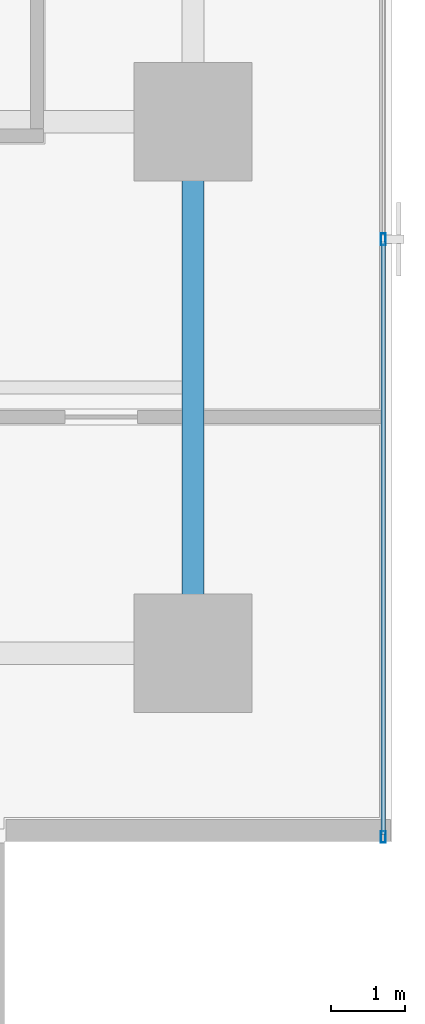
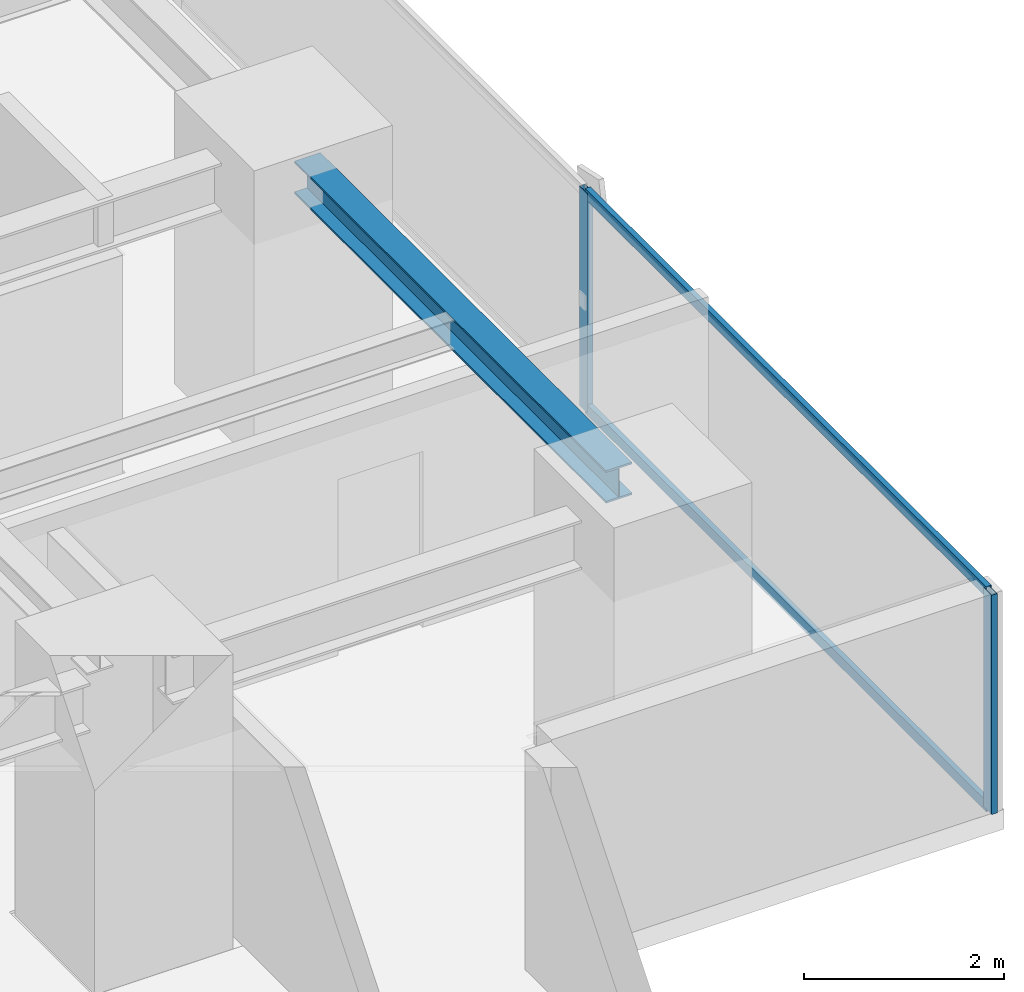
# One storey, part 14 of 36: 4 members, 1 beam, 1 element without a shape of its own.
"""IFC4 building model written with IfcOpenShell, lengths in metres."""

from ifc_helpers import new_model, si_unit, direction, frame, origin, origin_2d, place, context, subcontext, project, spatial, hollow_rectangle, i_section, extrude, source, transform, mapped, material, layer, layer_set, material_profile, profile_set, type_object, element, aggregate, save


model = new_model("IFC4")

# Units and contexts
model_context = context("Model", 3, precision=1e-05, world=origin(), true_north=direction((0.0, 1.0)))
body_context = subcontext(model_context, "Body", "Model", "MODEL_VIEW")
ifc_project = project(units=[si_unit("LENGTHUNIT", "METRE"), si_unit("AREAUNIT", "SQUARE_METRE"), si_unit("VOLUMEUNIT", "CUBIC_METRE"), si_unit("PLANEANGLEUNIT", "RADIAN"), si_unit("MASSUNIT", "GRAM", prefix="KILO")], contexts=[model_context])

# Site, building, storey
site_placement = place(None, origin())
site = spatial("IfcSite", under=ifc_project, at=site_placement, CompositionType="ELEMENT")
building_placement = place(site_placement, origin())
building = spatial("IfcBuilding", under=site, at=building_placement, Name="Sumidabori Civic Tower", CompositionType="ELEMENT")
storey_placement = place(building_placement, frame((0.0, 0.0, 120.800048828125)))
storey = spatial("IfcBuildingStorey", under=building, at=storey_placement, Name="L31", CompositionType="ELEMENT", Elevation=120.800048828125)

# Beam
ifc_material_1 = material(Name="Steel SN490", Category="steel")
ifc_material_profile_1 = material_profile(ifc_material_1, i_section(OverallWidth=0.300048828125, OverallDepth=0.39990234375, WebThickness=0.013427734375, FlangeThickness=0.02392578125, at=origin_2d()), Name="HE 400 B")
ifc_profile_set_1 = profile_set([ifc_material_profile_1], Name="Steel SN490")
beam_type = type_object("IfcBeamType", Name="BM-GIRD-400", PredefinedType="BEAM", material=ifc_profile_set_1)
shared_shape_1 = source(origin(), body_context, "Body", "SweptSolid", [
    extrude(i_section(OverallWidth=0.300048828125, OverallDepth=0.39990234375, WebThickness=0.013427734375, FlangeThickness=0.02392578125, at=origin_2d()), origin(), (0.0, 0.0, 1.0), 6.239990234375),
])
beam_placement = place(storey_placement, frame((22.800048828125, -17.52001953125, 3.099853515625), z_axis=(0.0, 1.0, 0.0), x_axis=(-1.0, 0.0, 0.0)))
element("IfcBeam", 1, at=beam_placement, inside=storey, type_object=beam_type, Name="Primary Girder L31 GY-39", PredefinedType="BEAM", context=body_context, shape_type="MappedRepresentation", body=[
    mapped(shared_shape_1, transform((0.0, 0.0, 0.0), x_axis=(1.0, 0.0, 0.0), y_axis=(0.0, 1.0, 0.0), z_axis=(0.0, 0.0, 1.0), scale=1.0)),
])

# Curtain wall, members
ifc_material_2 = material(Name="Anodised Bronze Aluminium AW-6063-T6", Category="aluminium")
ifc_layer = layer(ifc_material_2, 0.179931640625, Name="Anodised Bronze Aluminium AW-6063-T6")
ifc_layer_set = layer_set([ifc_layer], Name="Anodised Bronze Aluminium AW-6063-T6")
curtain_wall_type = type_object("IfcCurtainWallType", Name="CW-SYS-3", PredefinedType="NOTDEFINED", material=ifc_layer_set)
curtain_wall_placement = place(storey_placement, origin())
curtain_wall = element("IfcCurtainWall", 2, at=curtain_wall_placement, inside=storey, type_object=curtain_wall_type, Name="Curtain Wall CW:L31:R04", PredefinedType="NOTDEFINED")
ifc_material_profile_2 = material_profile(ifc_material_2, hollow_rectangle(XDim=0.06005859375, YDim=0.1298828125, WallThickness=0.0048828125, at=origin_2d()), Name="ALU TRANSOM 130x60")
ifc_profile_set_2 = profile_set([ifc_material_profile_2], Name="Anodised Bronze Aluminium AW-6063-T6")
member_type_1 = type_object("IfcMemberType", Name="CW-TRN-130", PredefinedType="USERDEFINED", material=ifc_profile_set_2)
shared_shape_2 = source(origin(), body_context, "Body", "SweptSolid", [
    extrude(hollow_rectangle(XDim=0.06005859375, YDim=0.1298828125, WallThickness=0.0048828125, at=origin_2d()), origin(), (0.0, 0.0, 1.0), 8.030517578125),
])
member_1_placement = place(storey_placement, frame((25.3798828125, -20.455078125, 0.030029296875), z_axis=(0.0, 1.0, 0.0), x_axis=(-1.0, 0.0, 0.0)))
member_1 = element("IfcMember", 3, at=member_1_placement, type_object=member_type_1, Name="CW-3 transom 1.1", ObjectType="TRANSOM", PredefinedType="USERDEFINED", context=body_context, shape_type="MappedRepresentation", body=[
    mapped(shared_shape_2, transform((0.0, 0.0, 0.0), x_axis=(1.0, 0.0, 0.0), y_axis=(0.0, 1.0, 0.0), z_axis=(0.0, 0.0, 1.0), scale=1.0)),
])
member_2_placement = place(storey_placement, frame((25.3798828125, -20.455078125, 2.64990234375), z_axis=(0.0, 1.0, 0.0), x_axis=(-1.0, 0.0, 0.0)))
member_2 = element("IfcMember", 4, at=member_2_placement, type_object=member_type_1, Name="CW-3 transom 1.2", ObjectType="TRANSOM", PredefinedType="USERDEFINED", context=body_context, shape_type="MappedRepresentation", body=[
    mapped(shared_shape_2, transform((0.0, 0.0, 0.0), x_axis=(1.0, 0.0, 0.0), y_axis=(0.0, 1.0, 0.0), z_axis=(0.0, 0.0, 1.0), scale=1.0)),
])
ifc_material_profile_3 = material_profile(ifc_material_2, hollow_rectangle(XDim=0.06494140625, YDim=0.159912109375, WallThickness=0.0048828125, at=origin_2d()), Name="ALU MULLION 160x65")
ifc_profile_set_3 = profile_set([ifc_material_profile_3], Name="Anodised Bronze Aluminium AW-6063-T6")
member_type_2 = type_object("IfcMemberType", Name="CW-MUL-160", PredefinedType="MULLION", material=ifc_profile_set_3)
shared_shape_3 = source(origin(), body_context, "Body", "SweptSolid", [
    extrude(hollow_rectangle(XDim=0.06494140625, YDim=0.159912109375, WallThickness=0.0048828125, at=origin_2d()), origin(), (0.0, 0.0, 1.0), 2.679931640625),
])
member_3_placement = place(storey_placement, frame((25.3798828125, -20.487548828125, 0.0), z_axis=(0.0, 0.0, 1.0), x_axis=(-1.0, 0.0, 0.0)))
member_3 = element("IfcMember", 5, at=member_3_placement, type_object=member_type_2, Name="CW-3 mullion 1", PredefinedType="MULLION", context=body_context, shape_type="MappedRepresentation", body=[
    mapped(shared_shape_3, transform((0.0, 0.0, 0.0), x_axis=(1.0, 0.0, 0.0), y_axis=(0.0, 1.0, 0.0), z_axis=(0.0, 0.0, 1.0), scale=1.0)),
])
member_4_placement = place(storey_placement, frame((25.3798828125, -12.39208984375, 0.0), z_axis=(0.0, 0.0, 1.0), x_axis=(-1.0, 0.0, 0.0)))
member_4 = element("IfcMember", 6, at=member_4_placement, type_object=member_type_2, Name="CW-3 mullion 2", PredefinedType="MULLION", context=body_context, shape_type="MappedRepresentation", body=[
    mapped(shared_shape_3, transform((0.0, 0.0, 0.0), x_axis=(1.0, 0.0, 0.0), y_axis=(0.0, 1.0, 0.0), z_axis=(0.0, 0.0, 1.0), scale=1.0)),
])
aggregate(curtain_wall, [member_3, member_4, member_1, member_2])

save(model, "model.ifc")
